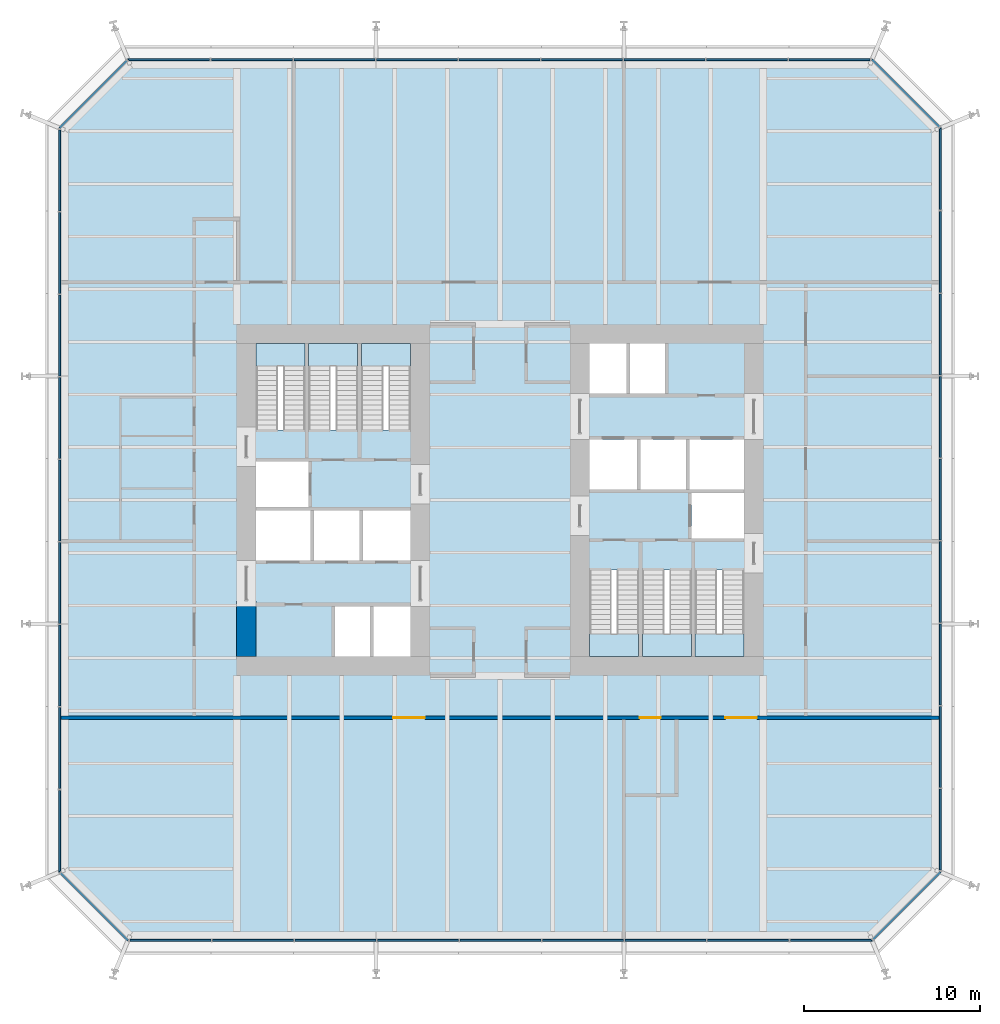
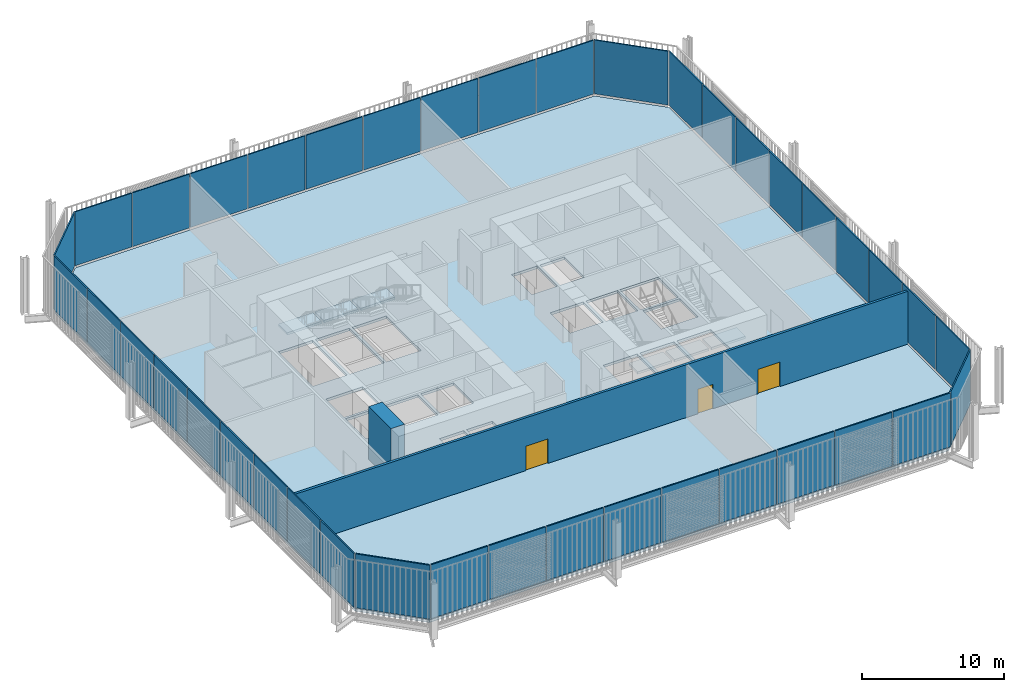
# One storey, part 17 of 22: 40 plates, 7 slabs, 3 doors, 2 walls, 3 openings, 14 elements without a shape of their own.
"""IFC4 building model written with IfcOpenShell, lengths in metres."""

from ifc_helpers import new_model, si_unit, direction, frame, frame_2d, origin, place, context, subcontext, project, spatial, polyline, rectangle, outline, extrude, material, layer, layer_set, type_object, element, fill, aggregate, save


model = new_model("IFC4")

# Units and contexts
model_context = context("Model", 3, precision=1e-05, world=origin(), true_north=direction((0.0, 1.0)))
body_context = subcontext(model_context, "Body", "Model", "MODEL_VIEW")
ifc_project = project(units=[si_unit("LENGTHUNIT", "METRE"), si_unit("AREAUNIT", "SQUARE_METRE"), si_unit("VOLUMEUNIT", "CUBIC_METRE"), si_unit("PLANEANGLEUNIT", "RADIAN"), si_unit("MASSUNIT", "GRAM", prefix="KILO")], contexts=[model_context])

# Site, building, storey
site_placement = place(None, origin())
site = spatial("IfcSite", under=ifc_project, at=site_placement, CompositionType="ELEMENT")
building_placement = place(site_placement, origin())
building = spatial("IfcBuilding", under=site, at=building_placement, Name="Millrace Tower", CompositionType="ELEMENT")
storey_placement = place(building_placement, frame((0.0, 0.0, 59.300048828125)))
storey = spatial("IfcBuildingStorey", under=building, at=storey_placement, Name="L13", CompositionType="ELEMENT", Elevation=59.300048828125)

# Curtain wall, plate
ifc_material_1 = material(Name="Aluminium and glass", Category="aluminium")
ifc_layer_1 = layer(ifc_material_1, 0.14990234375)
ifc_layer_set_1 = layer_set([ifc_layer_1], Name="Aluminium and glass")
curtain_wall_type = type_object("IfcCurtainWallType", Name="CW-2 data hall insulated curtain wall", PredefinedType="NOTDEFINED", material=ifc_layer_set_1)
placement_1 = place(storey_placement, origin())
curtain_wall_1 = element("IfcCurtainWall", 1, at=placement_1, inside=storey, type_object=curtain_wall_type, Name="Curtain wall A-F01 L13", PredefinedType="NOTDEFINED")
ifc_material_2 = material(Name="Glass", Category="glass")
ifc_layer_2 = layer(ifc_material_2, 0.10009765625)
ifc_layer_set_2 = layer_set([ifc_layer_2], Name="Glass")
plate_type = type_object("IfcPlateType", Name="CW-2 data hall insulated curtain wall insulated cassette with vision slot", PredefinedType="CURTAIN_PANEL", material=ifc_layer_set_2)
placement_2 = place(storey_placement, frame((0.0, 0.0, 0.159912109375)))
plate_1 = element("IfcPlate", 2, at=placement_2, type_object=plate_type, Name="CW2 panel A-F01.1", PredefinedType="CURTAIN_PANEL", context=body_context, shape_type="SweptSolid", body=[
    extrude(outline(polyline([(-25.04248046875, -21.284423828125), (-21.20166015625, -25.125), (-21.160400390625, -25.02490234375), (-24.9716796875, -21.213623046875), (-25.04248046875, -21.284423828125)])), origin(), (0.0, 0.0, 1.0), 4.64013671875),
])
aggregate(curtain_wall_1, [plate_1])

# Curtain wall, plates
curtain_wall_2 = element("IfcCurtainWall", 3, at=placement_1, inside=storey, type_object=curtain_wall_type, Name="Curtain wall A-F02 L13", PredefinedType="NOTDEFINED")
plate_2 = element("IfcPlate", 4, at=placement_2, type_object=plate_type, Name="CW2 panel A-F02.1", PredefinedType="CURTAIN_PANEL", context=body_context, shape_type="SweptSolid", body=[
    extrude(outline(polyline([(-21.0849609375, -25.125), (-16.449951171875, -25.125), (-16.449951171875, -25.02490234375), (-21.0849609375, -25.02490234375), (-21.0849609375, -25.125)])), origin(), (0.0, 0.0, 1.0), 4.64013671875),
])
plate_3 = element("IfcPlate", 5, at=placement_2, type_object=plate_type, Name="CW2 panel A-F02.2", PredefinedType="CURTAIN_PANEL", context=body_context, shape_type="SweptSolid", body=[
    extrude(outline(polyline([(-16.385009765625, -25.125), (-11.75, -25.125), (-11.75, -25.02490234375), (-16.385009765625, -25.02490234375), (-16.385009765625, -25.125)])), origin(), (0.0, 0.0, 1.0), 4.64013671875),
])
plate_4 = element("IfcPlate", 6, at=placement_2, type_object=plate_type, Name="CW2 panel A-F02.3", PredefinedType="CURTAIN_PANEL", context=body_context, shape_type="SweptSolid", body=[
    extrude(outline(polyline([(-11.68505859375, -25.125), (-7.050048828125, -25.125), (-7.050048828125, -25.02490234375), (-11.68505859375, -25.02490234375), (-11.68505859375, -25.125)])), origin(), (0.0, 0.0, 1.0), 4.64013671875),
])
plate_5 = element("IfcPlate", 7, at=placement_2, type_object=plate_type, Name="CW2 panel A-F02.4", PredefinedType="CURTAIN_PANEL", context=body_context, shape_type="SweptSolid", body=[
    extrude(outline(polyline([(-6.985107421875, -25.125), (-2.35009765625, -25.125), (-2.35009765625, -25.02490234375), (-6.985107421875, -25.02490234375), (-6.985107421875, -25.125)])), origin(), (0.0, 0.0, 1.0), 4.64013671875),
])
plate_6 = element("IfcPlate", 8, at=placement_2, type_object=plate_type, Name="CW2 panel A-F02.5", PredefinedType="CURTAIN_PANEL", context=body_context, shape_type="SweptSolid", body=[
    extrude(outline(polyline([(-2.284912109375, -25.125), (2.35009765625, -25.125), (2.35009765625, -25.02490234375), (-2.284912109375, -25.02490234375), (-2.284912109375, -25.125)])), origin(), (0.0, 0.0, 1.0), 4.64013671875),
])
plate_7 = element("IfcPlate", 9, at=placement_2, type_object=plate_type, Name="CW2 panel A-F02.6", PredefinedType="CURTAIN_PANEL", context=body_context, shape_type="SweptSolid", body=[
    extrude(outline(polyline([(2.4150390625, -25.125), (7.050048828125, -25.125), (7.050048828125, -25.02490234375), (2.4150390625, -25.02490234375), (2.4150390625, -25.125)])), origin(), (0.0, 0.0, 1.0), 4.64013671875),
])
plate_8 = element("IfcPlate", 10, at=placement_2, type_object=plate_type, Name="CW2 panel A-F02.7", PredefinedType="CURTAIN_PANEL", context=body_context, shape_type="SweptSolid", body=[
    extrude(outline(polyline([(7.114990234375, -25.125), (11.75, -25.125), (11.75, -25.02490234375), (7.114990234375, -25.02490234375), (7.114990234375, -25.125)])), origin(), (0.0, 0.0, 1.0), 4.64013671875),
])
plate_9 = element("IfcPlate", 11, at=placement_2, type_object=plate_type, Name="CW2 panel A-F02.8", PredefinedType="CURTAIN_PANEL", context=body_context, shape_type="SweptSolid", body=[
    extrude(outline(polyline([(11.81494140625, -25.125), (16.449951171875, -25.125), (16.449951171875, -25.02490234375), (11.81494140625, -25.02490234375), (11.81494140625, -25.125)])), origin(), (0.0, 0.0, 1.0), 4.64013671875),
])
plate_10 = element("IfcPlate", 12, at=placement_2, type_object=plate_type, Name="CW2 panel A-F02.9", PredefinedType="CURTAIN_PANEL", context=body_context, shape_type="SweptSolid", body=[
    extrude(outline(polyline([(16.514892578125, -25.125), (21.20166015625, -25.125), (21.160400390625, -25.02490234375), (16.514892578125, -25.02490234375), (16.514892578125, -25.125)])), origin(), (0.0, 0.0, 1.0), 4.64013671875),
])
aggregate(curtain_wall_2, [plate_2, plate_3, plate_4, plate_5, plate_6, plate_7, plate_8, plate_9, plate_10])

# Curtain wall, plate
curtain_wall_3 = element("IfcCurtainWall", 13, at=placement_1, inside=storey, type_object=curtain_wall_type, Name="Curtain wall A-F03 L13", PredefinedType="NOTDEFINED")
plate_11 = element("IfcPlate", 14, at=placement_2, type_object=plate_type, Name="CW2 panel A-F03.1", PredefinedType="CURTAIN_PANEL", context=body_context, shape_type="SweptSolid", body=[
    extrude(outline(polyline([(21.284423828125, -25.04248046875), (25.125, -21.20166015625), (25.02490234375, -21.160400390625), (21.213623046875, -24.9716796875), (21.284423828125, -25.04248046875)])), origin(), (0.0, 0.0, 1.0), 4.64013671875),
])
aggregate(curtain_wall_3, [plate_11])

# Curtain wall, plates
curtain_wall_4 = element("IfcCurtainWall", 15, at=placement_1, inside=storey, type_object=curtain_wall_type, Name="Curtain wall A-F04 L13", PredefinedType="NOTDEFINED")
plate_12 = element("IfcPlate", 16, at=placement_2, type_object=plate_type, Name="CW2 panel A-F04.1", PredefinedType="CURTAIN_PANEL", context=body_context, shape_type="SweptSolid", body=[
    extrude(outline(polyline([(25.125, -21.0849609375), (25.125, -16.449951171875), (25.02490234375, -16.449951171875), (25.02490234375, -21.0849609375), (25.125, -21.0849609375)])), origin(), (0.0, 0.0, 1.0), 4.64013671875),
])
plate_13 = element("IfcPlate", 17, at=placement_2, type_object=plate_type, Name="CW2 panel A-F04.2", PredefinedType="CURTAIN_PANEL", context=body_context, shape_type="SweptSolid", body=[
    extrude(outline(polyline([(25.125, -16.385009765625), (25.125, -11.75), (25.02490234375, -11.75), (25.02490234375, -16.385009765625), (25.125, -16.385009765625)])), origin(), (0.0, 0.0, 1.0), 4.64013671875),
])
plate_14 = element("IfcPlate", 18, at=placement_2, type_object=plate_type, Name="CW2 panel A-F04.3", PredefinedType="CURTAIN_PANEL", context=body_context, shape_type="SweptSolid", body=[
    extrude(outline(polyline([(25.125, -11.68505859375), (25.125, -7.050048828125), (25.02490234375, -7.050048828125), (25.02490234375, -11.68505859375), (25.125, -11.68505859375)])), origin(), (0.0, 0.0, 1.0), 4.64013671875),
])
plate_15 = element("IfcPlate", 19, at=placement_2, type_object=plate_type, Name="CW2 panel A-F04.4", PredefinedType="CURTAIN_PANEL", context=body_context, shape_type="SweptSolid", body=[
    extrude(outline(polyline([(25.125, -6.985107421875), (25.125, -2.35009765625), (25.02490234375, -2.35009765625), (25.02490234375, -6.985107421875), (25.125, -6.985107421875)])), origin(), (0.0, 0.0, 1.0), 4.64013671875),
])
plate_16 = element("IfcPlate", 20, at=placement_2, type_object=plate_type, Name="CW2 panel A-F04.5", PredefinedType="CURTAIN_PANEL", context=body_context, shape_type="SweptSolid", body=[
    extrude(outline(polyline([(25.125, -2.284912109375), (25.125, 2.35009765625), (25.02490234375, 2.35009765625), (25.02490234375, -2.284912109375), (25.125, -2.284912109375)])), origin(), (0.0, 0.0, 1.0), 4.64013671875),
])
plate_17 = element("IfcPlate", 21, at=placement_2, type_object=plate_type, Name="CW2 panel A-F04.6", PredefinedType="CURTAIN_PANEL", context=body_context, shape_type="SweptSolid", body=[
    extrude(outline(polyline([(25.125, 2.4150390625), (25.125, 7.050048828125), (25.02490234375, 7.050048828125), (25.02490234375, 2.4150390625), (25.125, 2.4150390625)])), origin(), (0.0, 0.0, 1.0), 4.64013671875),
])
plate_18 = element("IfcPlate", 22, at=placement_2, type_object=plate_type, Name="CW2 panel A-F04.7", PredefinedType="CURTAIN_PANEL", context=body_context, shape_type="SweptSolid", body=[
    extrude(outline(polyline([(25.125, 7.114990234375), (25.125, 11.75), (25.02490234375, 11.75), (25.02490234375, 7.114990234375), (25.125, 7.114990234375)])), origin(), (0.0, 0.0, 1.0), 4.64013671875),
])
plate_19 = element("IfcPlate", 23, at=placement_2, type_object=plate_type, Name="CW2 panel A-F04.8", PredefinedType="CURTAIN_PANEL", context=body_context, shape_type="SweptSolid", body=[
    extrude(outline(polyline([(25.125, 11.81494140625), (25.125, 16.449951171875), (25.02490234375, 16.449951171875), (25.02490234375, 11.81494140625), (25.125, 11.81494140625)])), origin(), (0.0, 0.0, 1.0), 4.64013671875),
])
plate_20 = element("IfcPlate", 24, at=placement_2, type_object=plate_type, Name="CW2 panel A-F04.9", PredefinedType="CURTAIN_PANEL", context=body_context, shape_type="SweptSolid", body=[
    extrude(outline(polyline([(25.125, 16.514892578125), (25.125, 21.20166015625), (25.02490234375, 21.160400390625), (25.02490234375, 16.514892578125), (25.125, 16.514892578125)])), origin(), (0.0, 0.0, 1.0), 4.64013671875),
])
aggregate(curtain_wall_4, [plate_12, plate_13, plate_14, plate_15, plate_16, plate_17, plate_18, plate_19, plate_20])

# Curtain wall, plate
curtain_wall_5 = element("IfcCurtainWall", 25, at=placement_1, inside=storey, type_object=curtain_wall_type, Name="Curtain wall A-F05 L13", PredefinedType="NOTDEFINED")
plate_21 = element("IfcPlate", 26, at=placement_2, type_object=plate_type, Name="CW2 panel A-F05.1", PredefinedType="CURTAIN_PANEL", context=body_context, shape_type="SweptSolid", body=[
    extrude(outline(polyline([(25.04248046875, 21.284423828125), (21.20166015625, 25.125), (21.160400390625, 25.02490234375), (24.9716796875, 21.213623046875), (25.04248046875, 21.284423828125)])), origin(), (0.0, 0.0, 1.0), 4.64013671875),
])
aggregate(curtain_wall_5, [plate_21])

# Curtain wall, plates
curtain_wall_6 = element("IfcCurtainWall", 27, at=placement_1, inside=storey, type_object=curtain_wall_type, Name="Curtain wall A-F06 L13", PredefinedType="NOTDEFINED")
plate_22 = element("IfcPlate", 28, at=placement_2, type_object=plate_type, Name="CW2 panel A-F06.1", PredefinedType="CURTAIN_PANEL", context=body_context, shape_type="SweptSolid", body=[
    extrude(outline(polyline([(21.0849609375, 25.125), (16.449951171875, 25.125), (16.449951171875, 25.02490234375), (21.0849609375, 25.02490234375), (21.0849609375, 25.125)])), origin(), (0.0, 0.0, 1.0), 4.64013671875),
])
plate_23 = element("IfcPlate", 29, at=placement_2, type_object=plate_type, Name="CW2 panel A-F06.2", PredefinedType="CURTAIN_PANEL", context=body_context, shape_type="SweptSolid", body=[
    extrude(outline(polyline([(16.385009765625, 25.125), (11.75, 25.125), (11.75, 25.02490234375), (16.385009765625, 25.02490234375), (16.385009765625, 25.125)])), origin(), (0.0, 0.0, 1.0), 4.64013671875),
])
plate_24 = element("IfcPlate", 30, at=placement_2, type_object=plate_type, Name="CW2 panel A-F06.3", PredefinedType="CURTAIN_PANEL", context=body_context, shape_type="SweptSolid", body=[
    extrude(outline(polyline([(11.68505859375, 25.125), (7.050048828125, 25.125), (7.050048828125, 25.02490234375), (11.68505859375, 25.02490234375), (11.68505859375, 25.125)])), origin(), (0.0, 0.0, 1.0), 4.64013671875),
])
plate_25 = element("IfcPlate", 31, at=placement_2, type_object=plate_type, Name="CW2 panel A-F06.4", PredefinedType="CURTAIN_PANEL", context=body_context, shape_type="SweptSolid", body=[
    extrude(outline(polyline([(6.985107421875, 25.125), (2.35009765625, 25.125), (2.35009765625, 25.02490234375), (6.985107421875, 25.02490234375), (6.985107421875, 25.125)])), origin(), (0.0, 0.0, 1.0), 4.64013671875),
])
plate_26 = element("IfcPlate", 32, at=placement_2, type_object=plate_type, Name="CW2 panel A-F06.5", PredefinedType="CURTAIN_PANEL", context=body_context, shape_type="SweptSolid", body=[
    extrude(outline(polyline([(2.284912109375, 25.125), (-2.35009765625, 25.125), (-2.35009765625, 25.02490234375), (2.284912109375, 25.02490234375), (2.284912109375, 25.125)])), origin(), (0.0, 0.0, 1.0), 4.64013671875),
])
plate_27 = element("IfcPlate", 33, at=placement_2, type_object=plate_type, Name="CW2 panel A-F06.6", PredefinedType="CURTAIN_PANEL", context=body_context, shape_type="SweptSolid", body=[
    extrude(outline(polyline([(-2.4150390625, 25.125), (-7.050048828125, 25.125), (-7.050048828125, 25.02490234375), (-2.4150390625, 25.02490234375), (-2.4150390625, 25.125)])), origin(), (0.0, 0.0, 1.0), 4.64013671875),
])
plate_28 = element("IfcPlate", 34, at=placement_2, type_object=plate_type, Name="CW2 panel A-F06.7", PredefinedType="CURTAIN_PANEL", context=body_context, shape_type="SweptSolid", body=[
    extrude(outline(polyline([(-7.114990234375, 25.125), (-11.75, 25.125), (-11.75, 25.02490234375), (-7.114990234375, 25.02490234375), (-7.114990234375, 25.125)])), origin(), (0.0, 0.0, 1.0), 4.64013671875),
])
plate_29 = element("IfcPlate", 35, at=placement_2, type_object=plate_type, Name="CW2 panel A-F06.8", PredefinedType="CURTAIN_PANEL", context=body_context, shape_type="SweptSolid", body=[
    extrude(outline(polyline([(-11.81494140625, 25.125), (-16.449951171875, 25.125), (-16.449951171875, 25.02490234375), (-11.81494140625, 25.02490234375), (-11.81494140625, 25.125)])), origin(), (0.0, 0.0, 1.0), 4.64013671875),
])
plate_30 = element("IfcPlate", 36, at=placement_2, type_object=plate_type, Name="CW2 panel A-F06.9", PredefinedType="CURTAIN_PANEL", context=body_context, shape_type="SweptSolid", body=[
    extrude(outline(polyline([(-16.514892578125, 25.125), (-21.20166015625, 25.125), (-21.160400390625, 25.02490234375), (-16.514892578125, 25.02490234375), (-16.514892578125, 25.125)])), origin(), (0.0, 0.0, 1.0), 4.64013671875),
])
aggregate(curtain_wall_6, [plate_22, plate_23, plate_24, plate_25, plate_26, plate_27, plate_28, plate_29, plate_30])

# Curtain wall, plate
curtain_wall_7 = element("IfcCurtainWall", 37, at=placement_1, inside=storey, type_object=curtain_wall_type, Name="Curtain wall A-F07 L13", PredefinedType="NOTDEFINED")
plate_31 = element("IfcPlate", 38, at=placement_2, type_object=plate_type, Name="CW2 panel A-F07.1", PredefinedType="CURTAIN_PANEL", context=body_context, shape_type="SweptSolid", body=[
    extrude(outline(polyline([(-21.284423828125, 25.04248046875), (-25.125, 21.20166015625), (-25.02490234375, 21.160400390625), (-21.213623046875, 24.9716796875), (-21.284423828125, 25.04248046875)])), origin(), (0.0, 0.0, 1.0), 4.64013671875),
])
aggregate(curtain_wall_7, [plate_31])

# Curtain wall, plates
curtain_wall_8 = element("IfcCurtainWall", 39, at=placement_1, inside=storey, type_object=curtain_wall_type, Name="Curtain wall A-F08 L13", PredefinedType="NOTDEFINED")
plate_32 = element("IfcPlate", 40, at=placement_2, type_object=plate_type, Name="CW2 panel A-F08.1", PredefinedType="CURTAIN_PANEL", context=body_context, shape_type="SweptSolid", body=[
    extrude(outline(polyline([(-25.125, 21.0849609375), (-25.125, 16.449951171875), (-25.02490234375, 16.449951171875), (-25.02490234375, 21.0849609375), (-25.125, 21.0849609375)])), origin(), (0.0, 0.0, 1.0), 4.64013671875),
])
plate_33 = element("IfcPlate", 41, at=placement_2, type_object=plate_type, Name="CW2 panel A-F08.2", PredefinedType="CURTAIN_PANEL", context=body_context, shape_type="SweptSolid", body=[
    extrude(outline(polyline([(-25.125, 16.385009765625), (-25.125, 11.75), (-25.02490234375, 11.75), (-25.02490234375, 16.385009765625), (-25.125, 16.385009765625)])), origin(), (0.0, 0.0, 1.0), 4.64013671875),
])
plate_34 = element("IfcPlate", 42, at=placement_2, type_object=plate_type, Name="CW2 panel A-F08.3", PredefinedType="CURTAIN_PANEL", context=body_context, shape_type="SweptSolid", body=[
    extrude(outline(polyline([(-25.125, 11.68505859375), (-25.125, 7.050048828125), (-25.02490234375, 7.050048828125), (-25.02490234375, 11.68505859375), (-25.125, 11.68505859375)])), origin(), (0.0, 0.0, 1.0), 4.64013671875),
])
plate_35 = element("IfcPlate", 43, at=placement_2, type_object=plate_type, Name="CW2 panel A-F08.4", PredefinedType="CURTAIN_PANEL", context=body_context, shape_type="SweptSolid", body=[
    extrude(outline(polyline([(-25.125, 6.985107421875), (-25.125, 2.35009765625), (-25.02490234375, 2.35009765625), (-25.02490234375, 6.985107421875), (-25.125, 6.985107421875)])), origin(), (0.0, 0.0, 1.0), 4.64013671875),
])
plate_36 = element("IfcPlate", 44, at=placement_2, type_object=plate_type, Name="CW2 panel A-F08.5", PredefinedType="CURTAIN_PANEL", context=body_context, shape_type="SweptSolid", body=[
    extrude(outline(polyline([(-25.125, 2.284912109375), (-25.125, -2.35009765625), (-25.02490234375, -2.35009765625), (-25.02490234375, 2.284912109375), (-25.125, 2.284912109375)])), origin(), (0.0, 0.0, 1.0), 4.64013671875),
])
plate_37 = element("IfcPlate", 45, at=placement_2, type_object=plate_type, Name="CW2 panel A-F08.6", PredefinedType="CURTAIN_PANEL", context=body_context, shape_type="SweptSolid", body=[
    extrude(outline(polyline([(-25.125, -2.4150390625), (-25.125, -7.050048828125), (-25.02490234375, -7.050048828125), (-25.02490234375, -2.4150390625), (-25.125, -2.4150390625)])), origin(), (0.0, 0.0, 1.0), 4.64013671875),
])
plate_38 = element("IfcPlate", 46, at=placement_2, type_object=plate_type, Name="CW2 panel A-F08.7", PredefinedType="CURTAIN_PANEL", context=body_context, shape_type="SweptSolid", body=[
    extrude(outline(polyline([(-25.125, -7.114990234375), (-25.125, -11.75), (-25.02490234375, -11.75), (-25.02490234375, -7.114990234375), (-25.125, -7.114990234375)])), origin(), (0.0, 0.0, 1.0), 4.64013671875),
])
plate_39 = element("IfcPlate", 47, at=placement_2, type_object=plate_type, Name="CW2 panel A-F08.8", PredefinedType="CURTAIN_PANEL", context=body_context, shape_type="SweptSolid", body=[
    extrude(outline(polyline([(-25.125, -11.81494140625), (-25.125, -16.449951171875), (-25.02490234375, -16.449951171875), (-25.02490234375, -11.81494140625), (-25.125, -11.81494140625)])), origin(), (0.0, 0.0, 1.0), 4.64013671875),
])
plate_40 = element("IfcPlate", 48, at=placement_2, type_object=plate_type, Name="CW2 panel A-F08.9", PredefinedType="CURTAIN_PANEL", context=body_context, shape_type="SweptSolid", body=[
    extrude(outline(polyline([(-25.125, -16.514892578125), (-25.125, -21.20166015625), (-25.02490234375, -21.160400390625), (-25.02490234375, -16.514892578125), (-25.125, -16.514892578125)])), origin(), (0.0, 0.0, 1.0), 4.64013671875),
])
aggregate(curtain_wall_8, [plate_32, plate_33, plate_34, plate_35, plate_36, plate_37, plate_38, plate_39, plate_40])

# Slab
ifc_material_3 = material(Name="Concrete C35 on steel deck", Category="concrete")
ifc_layer_3 = layer(ifc_material_3, 0.22509765625)
ifc_layer_set_3 = layer_set([ifc_layer_3], Name="Concrete C35 on steel deck")
slab_type_1 = type_object("IfcSlabType", Name="Composite floor slab 225 mm", PredefinedType="FLOOR", material=ifc_layer_set_3)
slab_1_placement = place(storey_placement, frame((0.0, 0.0, -0.22509765625)))
element("IfcSlab", 49, at=slab_1_placement, inside=storey, type_object=slab_type_1, Name="SL-A-L13-S1", PredefinedType="FLOOR", context=body_context, shape_type="SweptSolid", body=[
    extrude(outline(polyline([(-25.0, -21.14990234375), (-21.14990234375, -25.0), (21.14990234375, -25.0), (25.0, -21.14990234375), (25.0, 21.14990234375), (21.14990234375, 25.0), (-21.14990234375, 25.0), (-25.0, 21.14990234375), (-25.0, -21.14990234375)]), holes=[polyline([(-9.39990234375, -8.89990234375), (-7.39990234375, -8.89990234375), (-7.39990234375, -6.050048828125), (-9.39990234375, -6.050048828125), (-9.39990234375, -8.89990234375)]), polyline([(-7.199951171875, -8.89990234375), (-5.10009765625, -8.89990234375), (-5.10009765625, -6.050048828125), (-7.199951171875, -6.050048828125), (-7.199951171875, -8.89990234375)]), polyline([(-13.89990234375, -3.449951171875), (-10.800048828125, -3.449951171875), (-10.800048828125, -0.60009765625), (-13.89990234375, -0.60009765625), (-13.89990234375, -3.449951171875)]), polyline([(-10.60009765625, -3.449951171875), (-8.0, -3.449951171875), (-8.0, -0.60009765625), (-10.60009765625, -0.60009765625), (-10.60009765625, -3.449951171875)]), polyline([(-7.800048828125, -3.449951171875), (-5.10009765625, -3.449951171875), (-5.10009765625, -0.60009765625), (-7.800048828125, -0.60009765625), (-7.800048828125, -3.449951171875)]), polyline([(-13.89990234375, -0.39990234375), (-10.89990234375, -0.39990234375), (-10.89990234375, 2.179931640625), (-13.89990234375, 2.179931640625), (-13.89990234375, -0.39990234375)]), polyline([(-13.89990234375, 4.0), (-11.10009765625, 4.0), (-11.10009765625, 8.89990234375), (-13.89990234375, 8.89990234375), (-13.89990234375, 4.0)]), polyline([(-10.89990234375, 4.0), (-8.10009765625, 4.0), (-8.10009765625, 8.89990234375), (-10.89990234375, 8.89990234375), (-10.89990234375, 4.0)]), polyline([(-7.89990234375, 4.0), (-5.10009765625, 4.0), (-5.10009765625, 8.89990234375), (-7.89990234375, 8.89990234375), (-7.89990234375, 4.0)]), polyline([(7.39990234375, 6.050048828125), (9.39990234375, 6.050048828125), (9.39990234375, 8.89990234375), (7.39990234375, 8.89990234375), (7.39990234375, 6.050048828125)]), polyline([(5.10009765625, 6.050048828125), (7.199951171875, 6.050048828125), (7.199951171875, 8.89990234375), (5.10009765625, 8.89990234375), (5.10009765625, 6.050048828125)]), polyline([(10.800048828125, 0.60009765625), (13.89990234375, 0.60009765625), (13.89990234375, 3.449951171875), (10.800048828125, 3.449951171875), (10.800048828125, 0.60009765625)]), polyline([(8.0, 0.60009765625), (10.60009765625, 0.60009765625), (10.60009765625, 3.449951171875), (8.0, 3.449951171875), (8.0, 0.60009765625)]), polyline([(5.10009765625, 0.60009765625), (7.800048828125, 0.60009765625), (7.800048828125, 3.449951171875), (5.10009765625, 3.449951171875), (5.10009765625, 0.60009765625)]), polyline([(10.89990234375, -2.179931640625), (13.89990234375, -2.179931640625), (13.89990234375, 0.39990234375), (10.89990234375, 0.39990234375), (10.89990234375, -2.179931640625)]), polyline([(11.10009765625, -8.89990234375), (13.89990234375, -8.89990234375), (13.89990234375, -4.0), (11.10009765625, -4.0), (11.10009765625, -8.89990234375)]), polyline([(8.10009765625, -8.89990234375), (10.89990234375, -8.89990234375), (10.89990234375, -4.0), (8.10009765625, -4.0), (8.10009765625, -8.89990234375)]), polyline([(5.10009765625, -8.89990234375), (7.89990234375, -8.89990234375), (7.89990234375, -4.0), (5.10009765625, -4.0), (5.10009765625, -8.89990234375)])]), origin(), (0.0, 0.0, 1.0), 0.22509765625),
])

# Stair, slab
ifc_material_4 = material(Name="Concrete C35", Category="concrete")
stair_type = type_object("IfcStairType", Name="Exit stair", PredefinedType="HALF_TURN_STAIR", material=ifc_material_4)
stair_1 = element("IfcStair", 50, at=placement_1, inside=storey, type_object=stair_type, Name="Stair 1 W L13", PredefinedType="HALF_TURN_STAIR")
ifc_material_5 = material(Name="Concrete C40", Category="concrete")
ifc_layer_4 = layer(ifc_material_5, 0.199951171875)
ifc_layer_set_4 = layer_set([ifc_layer_4], Name="Concrete C40")
slab_type_2 = type_object("IfcSlabType", Name="Stair landing", PredefinedType="LANDING", material=ifc_layer_set_4)
placement_3 = place(storey_placement, frame((0.0, 0.0, 2.199951171875)))
slab_2 = element("IfcSlab", 51, at=placement_3, type_object=slab_type_2, Name="ST12 landing 1", PredefinedType="LANDING", context=body_context, shape_type="SweptSolid", body=[
    extrude(outline(polyline([(-13.89990234375, 7.639892578125), (-11.10009765625, 7.639892578125), (-11.10009765625, 8.89990234375), (-13.89990234375, 8.89990234375), (-13.89990234375, 7.639892578125)])), origin(), (0.0, 0.0, 1.0), 0.199951171875),
])
aggregate(stair_1, [slab_2])

stair_2 = element("IfcStair", 52, at=placement_1, inside=storey, type_object=stair_type, Name="Stair 2 W L13", PredefinedType="HALF_TURN_STAIR")
slab_3 = element("IfcSlab", 53, at=placement_3, type_object=slab_type_2, Name="ST12 landing 1", PredefinedType="LANDING", context=body_context, shape_type="SweptSolid", body=[
    extrude(outline(polyline([(-10.89990234375, 7.639892578125), (-8.10009765625, 7.639892578125), (-8.10009765625, 8.89990234375), (-10.89990234375, 8.89990234375), (-10.89990234375, 7.639892578125)])), origin(), (0.0, 0.0, 1.0), 0.199951171875),
])
aggregate(stair_2, [slab_3])

stair_3 = element("IfcStair", 54, at=placement_1, inside=storey, type_object=stair_type, Name="Stair 3 W L13", PredefinedType="HALF_TURN_STAIR")
slab_4 = element("IfcSlab", 55, at=placement_3, type_object=slab_type_2, Name="ST12 landing 1", PredefinedType="LANDING", context=body_context, shape_type="SweptSolid", body=[
    extrude(outline(polyline([(-7.89990234375, 7.639892578125), (-5.10009765625, 7.639892578125), (-5.10009765625, 8.89990234375), (-7.89990234375, 8.89990234375), (-7.89990234375, 7.639892578125)])), origin(), (0.0, 0.0, 1.0), 0.199951171875),
])
aggregate(stair_3, [slab_4])

stair_4 = element("IfcStair", 56, at=placement_1, inside=storey, type_object=stair_type, Name="Stair 1 E L13", PredefinedType="HALF_TURN_STAIR")
slab_5 = element("IfcSlab", 57, at=placement_3, type_object=slab_type_2, Name="ST12 landing 1", PredefinedType="LANDING", context=body_context, shape_type="SweptSolid", body=[
    extrude(outline(polyline([(11.10009765625, -8.89990234375), (13.89990234375, -8.89990234375), (13.89990234375, -7.639892578125), (11.10009765625, -7.639892578125), (11.10009765625, -8.89990234375)])), origin(), (0.0, 0.0, 1.0), 0.199951171875),
])
aggregate(stair_4, [slab_5])

stair_5 = element("IfcStair", 58, at=placement_1, inside=storey, type_object=stair_type, Name="Stair 2 E L13", PredefinedType="HALF_TURN_STAIR")
slab_6 = element("IfcSlab", 59, at=placement_3, type_object=slab_type_2, Name="ST12 landing 1", PredefinedType="LANDING", context=body_context, shape_type="SweptSolid", body=[
    extrude(outline(polyline([(8.10009765625, -8.89990234375), (10.89990234375, -8.89990234375), (10.89990234375, -7.639892578125), (8.10009765625, -7.639892578125), (8.10009765625, -8.89990234375)])), origin(), (0.0, 0.0, 1.0), 0.199951171875),
])
aggregate(stair_5, [slab_6])

stair_6 = element("IfcStair", 60, at=placement_1, inside=storey, type_object=stair_type, Name="Stair 3 E L13", PredefinedType="HALF_TURN_STAIR")
slab_7 = element("IfcSlab", 61, at=placement_3, type_object=slab_type_2, Name="ST12 landing 1", PredefinedType="LANDING", context=body_context, shape_type="SweptSolid", body=[
    extrude(outline(polyline([(5.10009765625, -8.89990234375), (7.89990234375, -8.89990234375), (7.89990234375, -7.639892578125), (5.10009765625, -7.639892578125), (5.10009765625, -8.89990234375)])), origin(), (0.0, 0.0, 1.0), 0.199951171875),
])
aggregate(stair_6, [slab_7])

# Wall
ifc_material_6 = material(Name="Concrete C80", Category="concrete")
ifc_layer_5 = layer(ifc_material_6, 1.10009765625)
ifc_layer_set_5 = layer_set([ifc_layer_5], Name="Concrete C80")
wall_type_1 = type_object("IfcWallType", Name="Core wall 1100 Concrete C80", PredefinedType="SHEAR", material=ifc_layer_set_5)
wall_1_placement = place(storey_placement, frame((-14.449951171875, -8.89990234375, 0.0), z_axis=(0.0, 0.0, 1.0), x_axis=(0.0, 1.0, 0.0)))
element("IfcWall", 62, at=wall_1_placement, inside=storey, type_object=wall_type_1, Name="Core wall W L13", PredefinedType="SHEAR", context=body_context, shape_type="SweptSolid", body=[
    extrude(rectangle(XDim=3.14990234375, YDim=1.10009765625, at=frame_2d((1.574951171875, 0.0))), origin(), (0.0, 0.0, 1.0), 4.550048828125),
])

# Wall, openings, doors
ifc_material_7 = material(Name="Masonry partition, fire-rated", Category="masonry")
ifc_layer_6 = layer(ifc_material_7, 0.199951171875)
ifc_layer_set_6 = layer_set([ifc_layer_6], Name="Masonry partition, fire-rated")
wall_type_2 = type_object("IfcWallType", Name="Corridor wall 200", PredefinedType="PARTITIONING", material=ifc_layer_set_6)
wall_2_placement = place(storey_placement, frame((-25.030029296875, -12.39990234375, 0.0), z_axis=(0.0, 0.0, 1.0), x_axis=(1.0, 0.0, 0.0)))
wall_2 = element("IfcWall", 63, at=wall_2_placement, inside=storey, type_object=wall_type_2, Name="Corridor wall L13", PredefinedType="PARTITIONING", context=body_context, shape_type="SweptSolid", body=[
    extrude(rectangle(XDim=50.06005859375, YDim=0.199951171875, at=frame_2d((25.030029296875, 0.0))), origin(), (0.0, 0.0, 1.0), 4.550048828125),
])
opening_1_placement = place(wall_2_placement, frame((18.949951171875, 0.0, 0.0)))
opening_1 = element("IfcOpeningElement", 64, at=opening_1_placement, cuts=wall_2, Name="Opening 13-P005", PredefinedType="OPENING", context=body_context, shape_type="SweptSolid", body=[
    extrude(rectangle(XDim=1.800048828125, YDim=2.10009765625, at=frame_2d((0.89990234375, 1.050048828125))), frame((0.0, 0.10986328125, 0.0), z_axis=(0.0, -1.0, 0.0), x_axis=(1.0, 0.0, 0.0)), (0.0, 0.0, 1.0), 0.219970703125),
])
opening_2_placement = place(wall_2_placement, frame((37.860107421875, 0.0, 0.0)))
opening_2 = element("IfcOpeningElement", 65, at=opening_2_placement, cuts=wall_2, Name="Opening 13-P006", PredefinedType="OPENING", context=body_context, shape_type="SweptSolid", body=[
    extrude(rectangle(XDim=1.800048828125, YDim=2.10009765625, at=frame_2d((0.89990234375, 1.050048828125))), frame((0.0, 0.10986328125, 0.0), z_axis=(0.0, -1.0, 0.0), x_axis=(1.0, 0.0, 0.0)), (0.0, 0.0, 1.0), 0.219970703125),
])
opening_3_placement = place(wall_2_placement, frame((32.97998046875, 0.0, 0.0)))
opening_3 = element("IfcOpeningElement", 66, at=opening_3_placement, cuts=wall_2, Name="Opening 13-P007", PredefinedType="OPENING", context=body_context, shape_type="SweptSolid", body=[
    extrude(rectangle(XDim=1.199951171875, YDim=2.10009765625, at=frame_2d((0.60009765625, 1.050048828125))), frame((0.0, 0.10986328125, 0.0), z_axis=(0.0, -1.0, 0.0), x_axis=(1.0, 0.0, 0.0)), (0.0, 0.0, 1.0), 0.219970703125),
])
ifc_material_8 = material(Name="Steel door set, fire-rated", Category="steel")
door_type_1 = type_object("IfcDoorType", Name="Corridor door 1200 x 2100", OperationType="SINGLE_SWING_LEFT", PredefinedType="DOOR", material=ifc_material_8)
door_1_placement = place(opening_3_placement, frame((1.199951171875, 0.0, 0.0), z_axis=(0.0, 0.0, 1.0), x_axis=(-1.0, 0.0, 0.0)))
door_1 = element("IfcDoor", 67, at=door_1_placement, inside=storey, type_object=door_type_1, Name="Door 13-P007", OperationType="SINGLE_SWING_LEFT", OverallHeight=2.10009765625, OverallWidth=1.199951171875, PredefinedType="DOOR", context=body_context, shape_type="SweptSolid", body=[
    extrude(rectangle(XDim=1.199951171875, YDim=2.10009765625, at=frame_2d((0.60009765625, 1.050048828125))), frame((0.0, 0.02490234375, 0.0), z_axis=(0.0, -1.0, 0.0), x_axis=(1.0, 0.0, 0.0)), (0.0, 0.0, 1.0), 0.050048828125),
])
fill(opening_3, door_1)
ifc_material_9 = material(Name="Steel door set, fire-rated", Category="steel")
door_type_2 = type_object("IfcDoorType", Name="Data hall door 1800 x 2100", OperationType="DOUBLE_DOOR_SINGLE_SWING", PredefinedType="DOOR", material=ifc_material_9)
door_2_placement = place(opening_1_placement, frame((1.800048828125, 0.0, 0.0), z_axis=(0.0, 0.0, 1.0), x_axis=(-1.0, 0.0, 0.0)))
door_2 = element("IfcDoor", 68, at=door_2_placement, inside=storey, type_object=door_type_2, Name="Door 13-P005", OperationType="DOUBLE_DOOR_SINGLE_SWING", OverallHeight=2.10009765625, OverallWidth=1.800048828125, PredefinedType="DOOR", context=body_context, shape_type="SweptSolid", body=[
    extrude(rectangle(XDim=1.800048828125, YDim=2.10009765625, at=frame_2d((0.89990234375, 1.050048828125))), frame((0.0, 0.02490234375, 0.0), z_axis=(0.0, -1.0, 0.0), x_axis=(1.0, 0.0, 0.0)), (0.0, 0.0, 1.0), 0.050048828125),
])
fill(opening_1, door_2)
door_3_placement = place(opening_2_placement, frame((1.800048828125, 0.0, 0.0), z_axis=(0.0, 0.0, 1.0), x_axis=(-1.0, 0.0, 0.0)))
door_3 = element("IfcDoor", 69, at=door_3_placement, inside=storey, type_object=door_type_2, Name="Door 13-P006", OperationType="DOUBLE_DOOR_SINGLE_SWING", OverallHeight=2.10009765625, OverallWidth=1.800048828125, PredefinedType="DOOR", context=body_context, shape_type="SweptSolid", body=[
    extrude(rectangle(XDim=1.800048828125, YDim=2.10009765625, at=frame_2d((0.89990234375, 1.050048828125))), frame((0.0, 0.02490234375, 0.0), z_axis=(0.0, -1.0, 0.0), x_axis=(1.0, 0.0, 0.0)), (0.0, 0.0, 1.0), 0.050048828125),
])
fill(opening_2, door_3)

save(model, "model.ifc")
